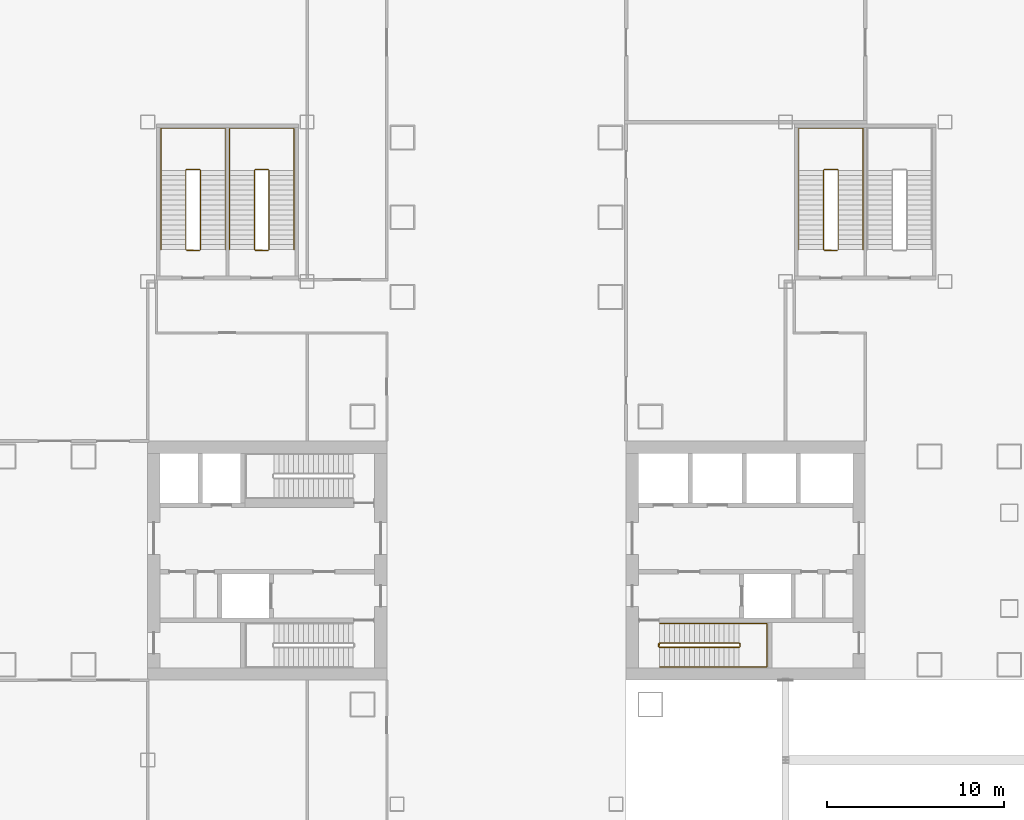
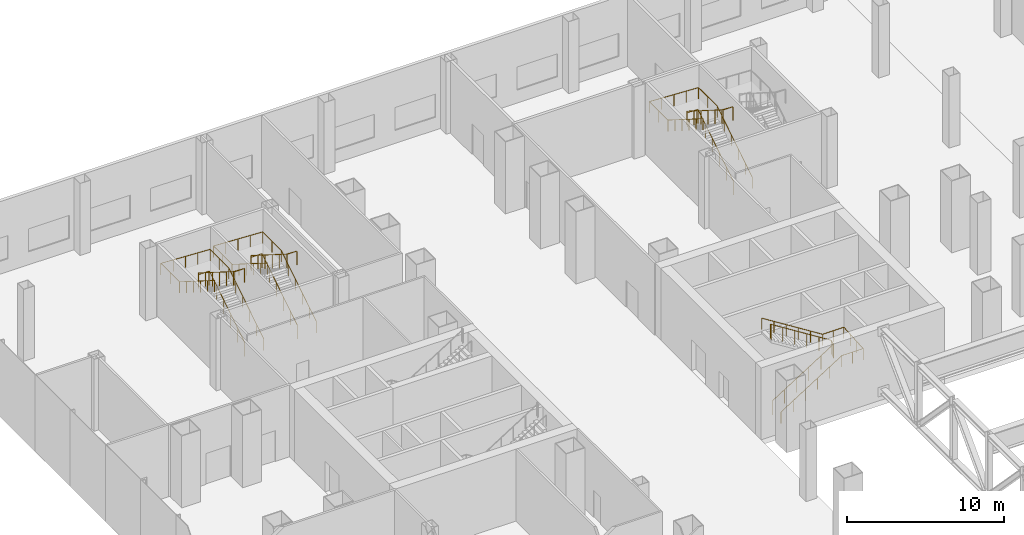
# One storey, part 30 of 33: 8 railings.
"""IFC4 building model written with IfcOpenShell, lengths in metres."""

from ifc_helpers import new_model, si_unit, direction, frame, origin, origin_2d, place, context, subcontext, project, spatial, circle, extrude, material, type_object, element, save


model = new_model("IFC4")

# Units and contexts
model_context = context("Model", 3, precision=1e-05, world=origin(), true_north=direction((0.0, 1.0)))
body_context = subcontext(model_context, "Body", "Model", "MODEL_VIEW")
ifc_project = project(units=[si_unit("LENGTHUNIT", "METRE"), si_unit("AREAUNIT", "SQUARE_METRE"), si_unit("VOLUMEUNIT", "CUBIC_METRE"), si_unit("PLANEANGLEUNIT", "RADIAN"), si_unit("MASSUNIT", "GRAM", prefix="KILO")], contexts=[model_context])

# Site, building, storey
site_placement = place(None, origin())
site = spatial("IfcSite", under=ifc_project, at=site_placement, CompositionType="ELEMENT")
building_placement = place(site_placement, origin())
building = spatial("IfcBuilding", under=site, at=building_placement, Name="Shamsa Quay Exchange Towers", CompositionType="ELEMENT")
storey_placement = place(building_placement, frame((0.0, 0.0, 6.5)))
storey = spatial("IfcBuildingStorey", under=building, at=storey_placement, Name="L01", CompositionType="ELEMENT", Elevation=6.5)

# Railings
ifc_material = material(Name="Stainless steel", Category="steel")
railing_type_1 = type_object("IfcRailingType", Name="STAIR GUARD 1100", PredefinedType="GUARDRAIL", material=ifc_material)
railing_1_placement = place(storey_placement, frame((-25.10009765625, -4.89990234375, 0.176513671875)))
element("IfcRailing", 1, at=railing_1_placement, inside=storey, type_object=railing_type_1, Name="L01 ST1 stair guard 1", PredefinedType="GUARDRAIL", context=body_context, shape_type="SweptSolid", body=[
    extrude(circle(Radius=0.02392578125, at=origin_2d()), frame((0.0, 0.0, 1.076171875), z_axis=(0.845997938375, 0.0, 0.533186166611), x_axis=(0.0, 1.0, 0.0)), (0.0, 0.0, 1.0), 5.29541015625),
    extrude(circle(Radius=0.02392578125, at=origin_2d()), frame((4.47998046875, 0.0, 3.8994140625), z_axis=(0.708833529934, 0.705375805398, 0.0), x_axis=(-0.705375805398, 0.708833529934, 0.0)), (0.0, 0.0, 1.0), 0.070556640625),
    extrude(circle(Radius=0.02392578125, at=origin_2d()), frame((4.530029296875, 0.0498046875, 3.8994140625), z_axis=(0.0, 1.0, 0.0), x_axis=(-1.0, 0.0, 0.0)), (0.0, 0.0, 1.0), 0.150146484375),
    extrude(circle(Radius=0.02392578125, at=origin_2d()), frame((4.530029296875, 0.199951171875, 3.8994140625), z_axis=(-0.263171338983, 0.263171338983, 0.928160380902), x_axis=(-0.707106781187, -0.707106781187, 0.0)), (0.0, 0.0, 1.0), 0.190185546875),
    extrude(circle(Radius=0.02392578125, at=origin_2d()), frame((4.47998046875, 0.25, 4.076171875), z_axis=(-0.845997938375, 0.0, 0.533186166611), x_axis=(0.0, -1.0, 0.0)), (0.0, 0.0, 1.0), 5.29541015625),
    extrude(circle(Radius=0.02392578125, at=origin_2d()), frame((0.0, 0.25, 6.8994140625), z_axis=(-0.24142163986, -0.970420317083, 0.0), x_axis=(0.970420317083, -0.24142163986, 0.0)), (0.0, 0.0, 1.0), 0.206298828125),
    extrude(circle(Radius=0.02392578125, at=origin_2d()), frame((-0.0498046875, 0.0498046875, 6.8994140625), z_axis=(0.0, 1.0, 0.0), x_axis=(-1.0, 0.0, 0.0)), (0.0, 0.0, 1.0), 0.150146484375),
    extrude(circle(Radius=0.02099609375, at=origin_2d()), origin(), (0.0, 0.0, 1.0), 1.052001953125),
    extrude(circle(Radius=0.02099609375, at=origin_2d()), frame((0.89599609375, 0.0, 0.564697265625)), (0.0, 0.0, 1.0), 1.052001953125),
    extrude(circle(Radius=0.02099609375, at=origin_2d()), frame((1.7919921875, 0.0, 1.12939453125)), (0.0, 0.0, 1.0), 1.052001953125),
    extrude(circle(Radius=0.02099609375, at=origin_2d()), frame((2.68798828125, 0.0, 1.694091796875)), (0.0, 0.0, 1.0), 1.052001953125),
    extrude(circle(Radius=0.02099609375, at=origin_2d()), frame((3.583984375, 0.0, 2.2587890625)), (0.0, 0.0, 1.0), 1.052001953125),
    extrude(circle(Radius=0.02099609375, at=origin_2d()), frame((4.47998046875, 0.0, 2.823486328125)), (0.0, 0.0, 1.0), 1.052001953125),
    extrude(circle(Radius=0.02099609375, at=origin_2d()), frame((4.530029296875, 0.0498046875, 2.823486328125)), (0.0, 0.0, 1.0), 1.052001953125),
    extrude(circle(Radius=0.02099609375, at=origin_2d()), frame((4.530029296875, 0.199951171875, 2.823486328125)), (0.0, 0.0, 1.0), 1.052001953125),
    extrude(circle(Radius=0.02099609375, at=origin_2d()), frame((4.47998046875, 0.25, 3.0)), (0.0, 0.0, 1.0), 1.052001953125),
    extrude(circle(Radius=0.02099609375, at=origin_2d()), frame((3.583984375, 0.25, 3.564697265625)), (0.0, 0.0, 1.0), 1.052001953125),
    extrude(circle(Radius=0.02099609375, at=origin_2d()), frame((2.68798828125, 0.25, 4.12939453125)), (0.0, 0.0, 1.0), 1.052001953125),
    extrude(circle(Radius=0.02099609375, at=origin_2d()), frame((1.7919921875, 0.25, 4.694091796875)), (0.0, 0.0, 1.0), 1.052001953125),
    extrude(circle(Radius=0.02099609375, at=origin_2d()), frame((0.89599609375, 0.25, 5.2587890625)), (0.0, 0.0, 1.0), 1.052001953125),
    extrude(circle(Radius=0.02099609375, at=origin_2d()), frame((0.0, 0.25, 5.823486328125)), (0.0, 0.0, 1.0), 1.052001953125),
    extrude(circle(Radius=0.02099609375, at=origin_2d()), frame((-0.0498046875, 0.0498046875, 5.823486328125)), (0.0, 0.0, 1.0), 1.052001953125),
    extrude(circle(Radius=0.02099609375, at=origin_2d()), frame((-0.0498046875, 0.199951171875, 5.823486328125)), (0.0, 0.0, 1.0), 1.052001953125),
])
railing_2_placement = place(storey_placement, frame((-51.02490234375, 17.550048828125, 0.176513671875)))
element("IfcRailing", 2, at=railing_2_placement, inside=storey, type_object=railing_type_1, Name="L01 PS1A stair guard 1", PredefinedType="GUARDRAIL", context=body_context, shape_type="SweptSolid", body=[
    extrude(circle(Radius=0.02392578125, at=origin_2d()), frame((0.0, 0.0, 1.076171875), z_axis=(0.0, 0.845997938375, 0.533186166611), x_axis=(-1.0, 0.0, 0.0)), (0.0, 0.0, 1.0), 5.29541015625),
    extrude(circle(Radius=0.02392578125, at=origin_2d()), frame((0.0, 4.47998046875, 3.8994140625), z_axis=(-0.707106781187, 0.707106781187, 0.0), x_axis=(-0.707106781187, -0.707106781187, 0.0)), (0.0, 0.0, 1.0), 0.07080078125),
    extrude(circle(Radius=0.02392578125, at=origin_2d()), frame((-0.050048828125, 4.530029296875, 3.8994140625), z_axis=(-1.0, 0.0, 0.0), x_axis=(0.0, -1.0, 0.0)), (0.0, 0.0, 1.0), 0.72509765625),
    extrude(circle(Radius=0.02392578125, at=origin_2d()), frame((-0.775146484375, 4.530029296875, 3.8994140625), z_axis=(-0.263171338983, -0.263171338983, 0.928160380902), x_axis=(0.707106781187, -0.707106781187, 0.0)), (0.0, 0.0, 1.0), 0.190185546875),
    extrude(circle(Radius=0.02392578125, at=origin_2d()), frame((-0.8251953125, 4.47998046875, 4.076171875), z_axis=(0.0, -0.845997938375, 0.533186166611), x_axis=(1.0, 0.0, 0.0)), (0.0, 0.0, 1.0), 5.29541015625),
    extrude(circle(Radius=0.02392578125, at=origin_2d()), frame((-0.8251953125, 0.0, 6.8994140625), z_axis=(0.997922050633, -0.064432762324, 0.0), x_axis=(0.064432762324, 0.997922050633, 0.0)), (0.0, 0.0, 1.0), 0.77685546875),
    extrude(circle(Radius=0.02392578125, at=origin_2d()), frame((-0.050048828125, -0.050048828125, 6.8994140625), z_axis=(-1.0, 0.0, 0.0), x_axis=(0.0, -1.0, 0.0)), (0.0, 0.0, 1.0), 0.72509765625),
    extrude(circle(Radius=0.02099609375, at=origin_2d()), origin(), (0.0, 0.0, 1.0), 1.052001953125),
    extrude(circle(Radius=0.02099609375, at=origin_2d()), frame((0.0, 0.89599609375, 0.564697265625)), (0.0, 0.0, 1.0), 1.052001953125),
    extrude(circle(Radius=0.02099609375, at=origin_2d()), frame((0.0, 1.7919921875, 1.12939453125)), (0.0, 0.0, 1.0), 1.052001953125),
    extrude(circle(Radius=0.02099609375, at=origin_2d()), frame((0.0, 2.68798828125, 1.694091796875)), (0.0, 0.0, 1.0), 1.052001953125),
    extrude(circle(Radius=0.02099609375, at=origin_2d()), frame((0.0, 3.583984375, 2.2587890625)), (0.0, 0.0, 1.0), 1.052001953125),
    extrude(circle(Radius=0.02099609375, at=origin_2d()), frame((0.0, 4.47998046875, 2.823486328125)), (0.0, 0.0, 1.0), 1.052001953125),
    extrude(circle(Radius=0.02099609375, at=origin_2d()), frame((-0.050048828125, 4.530029296875, 2.823486328125)), (0.0, 0.0, 1.0), 1.052001953125),
    extrude(circle(Radius=0.02099609375, at=origin_2d()), frame((-0.775146484375, 4.530029296875, 2.823486328125)), (0.0, 0.0, 1.0), 1.052001953125),
    extrude(circle(Radius=0.02099609375, at=origin_2d()), frame((-0.8251953125, 4.47998046875, 3.0)), (0.0, 0.0, 1.0), 1.052001953125),
    extrude(circle(Radius=0.02099609375, at=origin_2d()), frame((-0.8251953125, 3.583984375, 3.564697265625)), (0.0, 0.0, 1.0), 1.052001953125),
    extrude(circle(Radius=0.02099609375, at=origin_2d()), frame((-0.8251953125, 2.68798828125, 4.12939453125)), (0.0, 0.0, 1.0), 1.052001953125),
    extrude(circle(Radius=0.02099609375, at=origin_2d()), frame((-0.8251953125, 1.7919921875, 4.694091796875)), (0.0, 0.0, 1.0), 1.052001953125),
    extrude(circle(Radius=0.02099609375, at=origin_2d()), frame((-0.8251953125, 0.89599609375, 5.2587890625)), (0.0, 0.0, 1.0), 1.052001953125),
    extrude(circle(Radius=0.02099609375, at=origin_2d()), frame((-0.8251953125, 0.0, 5.823486328125)), (0.0, 0.0, 1.0), 1.052001953125),
    extrude(circle(Radius=0.02099609375, at=origin_2d()), frame((-0.050048828125, -0.050048828125, 5.823486328125)), (0.0, 0.0, 1.0), 1.052001953125),
    extrude(circle(Radius=0.02099609375, at=origin_2d()), frame((-0.775146484375, -0.050048828125, 5.823486328125)), (0.0, 0.0, 1.0), 1.052001953125),
])
railing_3_placement = place(storey_placement, frame((-47.14990234375, 17.550048828125, 0.176513671875)))
element("IfcRailing", 3, at=railing_3_placement, inside=storey, type_object=railing_type_1, Name="L01 PS1B stair guard 1", PredefinedType="GUARDRAIL", context=body_context, shape_type="SweptSolid", body=[
    extrude(circle(Radius=0.02392578125, at=origin_2d()), frame((0.0, 0.0, 1.076171875), z_axis=(0.0, 0.845997938375, 0.533186166611), x_axis=(-1.0, 0.0, 0.0)), (0.0, 0.0, 1.0), 5.29541015625),
    extrude(circle(Radius=0.02392578125, at=origin_2d()), frame((0.0, 4.47998046875, 3.8994140625), z_axis=(-0.707106781187, 0.707106781187, 0.0), x_axis=(-0.707106781187, -0.707106781187, 0.0)), (0.0, 0.0, 1.0), 0.07080078125),
    extrude(circle(Radius=0.02392578125, at=origin_2d()), frame((-0.050048828125, 4.530029296875, 3.8994140625), z_axis=(-1.0, 0.0, 0.0), x_axis=(0.0, -1.0, 0.0)), (0.0, 0.0, 1.0), 0.72509765625),
    extrude(circle(Radius=0.02392578125, at=origin_2d()), frame((-0.775146484375, 4.530029296875, 3.8994140625), z_axis=(-0.263171338983, -0.263171338983, 0.928160380902), x_axis=(0.707106781187, -0.707106781187, 0.0)), (0.0, 0.0, 1.0), 0.190185546875),
    extrude(circle(Radius=0.02392578125, at=origin_2d()), frame((-0.8251953125, 4.47998046875, 4.076171875), z_axis=(0.0, -0.845997938375, 0.533186166611), x_axis=(1.0, 0.0, 0.0)), (0.0, 0.0, 1.0), 5.29541015625),
    extrude(circle(Radius=0.02392578125, at=origin_2d()), frame((-0.8251953125, 0.0, 6.8994140625), z_axis=(0.997922050633, -0.064432762324, 0.0), x_axis=(0.064432762324, 0.997922050633, 0.0)), (0.0, 0.0, 1.0), 0.77685546875),
    extrude(circle(Radius=0.02392578125, at=origin_2d()), frame((-0.050048828125, -0.050048828125, 6.8994140625), z_axis=(-1.0, 0.0, 0.0), x_axis=(0.0, -1.0, 0.0)), (0.0, 0.0, 1.0), 0.72509765625),
    extrude(circle(Radius=0.02099609375, at=origin_2d()), origin(), (0.0, 0.0, 1.0), 1.052001953125),
    extrude(circle(Radius=0.02099609375, at=origin_2d()), frame((0.0, 0.89599609375, 0.564697265625)), (0.0, 0.0, 1.0), 1.052001953125),
    extrude(circle(Radius=0.02099609375, at=origin_2d()), frame((0.0, 1.7919921875, 1.12939453125)), (0.0, 0.0, 1.0), 1.052001953125),
    extrude(circle(Radius=0.02099609375, at=origin_2d()), frame((0.0, 2.68798828125, 1.694091796875)), (0.0, 0.0, 1.0), 1.052001953125),
    extrude(circle(Radius=0.02099609375, at=origin_2d()), frame((0.0, 3.583984375, 2.2587890625)), (0.0, 0.0, 1.0), 1.052001953125),
    extrude(circle(Radius=0.02099609375, at=origin_2d()), frame((0.0, 4.47998046875, 2.823486328125)), (0.0, 0.0, 1.0), 1.052001953125),
    extrude(circle(Radius=0.02099609375, at=origin_2d()), frame((-0.050048828125, 4.530029296875, 2.823486328125)), (0.0, 0.0, 1.0), 1.052001953125),
    extrude(circle(Radius=0.02099609375, at=origin_2d()), frame((-0.775146484375, 4.530029296875, 2.823486328125)), (0.0, 0.0, 1.0), 1.052001953125),
    extrude(circle(Radius=0.02099609375, at=origin_2d()), frame((-0.8251953125, 4.47998046875, 3.0)), (0.0, 0.0, 1.0), 1.052001953125),
    extrude(circle(Radius=0.02099609375, at=origin_2d()), frame((-0.8251953125, 3.583984375, 3.564697265625)), (0.0, 0.0, 1.0), 1.052001953125),
    extrude(circle(Radius=0.02099609375, at=origin_2d()), frame((-0.8251953125, 2.68798828125, 4.12939453125)), (0.0, 0.0, 1.0), 1.052001953125),
    extrude(circle(Radius=0.02099609375, at=origin_2d()), frame((-0.8251953125, 1.7919921875, 4.694091796875)), (0.0, 0.0, 1.0), 1.052001953125),
    extrude(circle(Radius=0.02099609375, at=origin_2d()), frame((-0.8251953125, 0.89599609375, 5.2587890625)), (0.0, 0.0, 1.0), 1.052001953125),
    extrude(circle(Radius=0.02099609375, at=origin_2d()), frame((-0.8251953125, 0.0, 5.823486328125)), (0.0, 0.0, 1.0), 1.052001953125),
    extrude(circle(Radius=0.02099609375, at=origin_2d()), frame((-0.050048828125, -0.050048828125, 5.823486328125)), (0.0, 0.0, 1.0), 1.052001953125),
    extrude(circle(Radius=0.02099609375, at=origin_2d()), frame((-0.775146484375, -0.050048828125, 5.823486328125)), (0.0, 0.0, 1.0), 1.052001953125),
])
railing_4_placement = place(storey_placement, frame((-15.02490234375, 17.550048828125, 0.176513671875)))
element("IfcRailing", 4, at=railing_4_placement, inside=storey, type_object=railing_type_1, Name="L01 PS2A stair guard 1", PredefinedType="GUARDRAIL", context=body_context, shape_type="SweptSolid", body=[
    extrude(circle(Radius=0.02392578125, at=origin_2d()), frame((0.0, 0.0, 1.076171875), z_axis=(0.0, 0.845997938375, 0.533186166611), x_axis=(-1.0, 0.0, 0.0)), (0.0, 0.0, 1.0), 5.29541015625),
    extrude(circle(Radius=0.02392578125, at=origin_2d()), frame((0.0, 4.47998046875, 3.8994140625), z_axis=(-0.707106781187, 0.707106781187, 0.0), x_axis=(-0.707106781187, -0.707106781187, 0.0)), (0.0, 0.0, 1.0), 0.07080078125),
    extrude(circle(Radius=0.02392578125, at=origin_2d()), frame((-0.050048828125, 4.530029296875, 3.8994140625), z_axis=(-1.0, 0.0, 0.0), x_axis=(0.0, -1.0, 0.0)), (0.0, 0.0, 1.0), 0.72509765625),
    extrude(circle(Radius=0.02392578125, at=origin_2d()), frame((-0.775146484375, 4.530029296875, 3.8994140625), z_axis=(-0.263171338983, -0.263171338983, 0.928160380902), x_axis=(0.707106781187, -0.707106781187, 0.0)), (0.0, 0.0, 1.0), 0.190185546875),
    extrude(circle(Radius=0.02392578125, at=origin_2d()), frame((-0.8251953125, 4.47998046875, 4.076171875), z_axis=(0.0, -0.845997938375, 0.533186166611), x_axis=(1.0, 0.0, 0.0)), (0.0, 0.0, 1.0), 5.29541015625),
    extrude(circle(Radius=0.02392578125, at=origin_2d()), frame((-0.8251953125, 0.0, 6.8994140625), z_axis=(0.997922050633, -0.064432762324, 0.0), x_axis=(0.064432762324, 0.997922050633, 0.0)), (0.0, 0.0, 1.0), 0.77685546875),
    extrude(circle(Radius=0.02392578125, at=origin_2d()), frame((-0.050048828125, -0.050048828125, 6.8994140625), z_axis=(-1.0, 0.0, 0.0), x_axis=(0.0, -1.0, 0.0)), (0.0, 0.0, 1.0), 0.72509765625),
    extrude(circle(Radius=0.02099609375, at=origin_2d()), origin(), (0.0, 0.0, 1.0), 1.052001953125),
    extrude(circle(Radius=0.02099609375, at=origin_2d()), frame((0.0, 0.89599609375, 0.564697265625)), (0.0, 0.0, 1.0), 1.052001953125),
    extrude(circle(Radius=0.02099609375, at=origin_2d()), frame((0.0, 1.7919921875, 1.12939453125)), (0.0, 0.0, 1.0), 1.052001953125),
    extrude(circle(Radius=0.02099609375, at=origin_2d()), frame((0.0, 2.68798828125, 1.694091796875)), (0.0, 0.0, 1.0), 1.052001953125),
    extrude(circle(Radius=0.02099609375, at=origin_2d()), frame((0.0, 3.583984375, 2.2587890625)), (0.0, 0.0, 1.0), 1.052001953125),
    extrude(circle(Radius=0.02099609375, at=origin_2d()), frame((0.0, 4.47998046875, 2.823486328125)), (0.0, 0.0, 1.0), 1.052001953125),
    extrude(circle(Radius=0.02099609375, at=origin_2d()), frame((-0.050048828125, 4.530029296875, 2.823486328125)), (0.0, 0.0, 1.0), 1.052001953125),
    extrude(circle(Radius=0.02099609375, at=origin_2d()), frame((-0.775146484375, 4.530029296875, 2.823486328125)), (0.0, 0.0, 1.0), 1.052001953125),
    extrude(circle(Radius=0.02099609375, at=origin_2d()), frame((-0.8251953125, 4.47998046875, 3.0)), (0.0, 0.0, 1.0), 1.052001953125),
    extrude(circle(Radius=0.02099609375, at=origin_2d()), frame((-0.8251953125, 3.583984375, 3.564697265625)), (0.0, 0.0, 1.0), 1.052001953125),
    extrude(circle(Radius=0.02099609375, at=origin_2d()), frame((-0.8251953125, 2.68798828125, 4.12939453125)), (0.0, 0.0, 1.0), 1.052001953125),
    extrude(circle(Radius=0.02099609375, at=origin_2d()), frame((-0.8251953125, 1.7919921875, 4.694091796875)), (0.0, 0.0, 1.0), 1.052001953125),
    extrude(circle(Radius=0.02099609375, at=origin_2d()), frame((-0.8251953125, 0.89599609375, 5.2587890625)), (0.0, 0.0, 1.0), 1.052001953125),
    extrude(circle(Radius=0.02099609375, at=origin_2d()), frame((-0.8251953125, 0.0, 5.823486328125)), (0.0, 0.0, 1.0), 1.052001953125),
    extrude(circle(Radius=0.02099609375, at=origin_2d()), frame((-0.050048828125, -0.050048828125, 5.823486328125)), (0.0, 0.0, 1.0), 1.052001953125),
    extrude(circle(Radius=0.02099609375, at=origin_2d()), frame((-0.775146484375, -0.050048828125, 5.823486328125)), (0.0, 0.0, 1.0), 1.052001953125),
])
railing_type_2 = type_object("IfcRailingType", Name="STAIR HANDRAIL 900", PredefinedType="HANDRAIL", material=ifc_material)
railing_5_placement = place(storey_placement, frame((-25.10009765625, -6.0, 0.176513671875)))
element("IfcRailing", 5, at=railing_5_placement, inside=storey, type_object=railing_type_2, Name="L01 ST1 stair handrail 1", PredefinedType="HANDRAIL", context=body_context, shape_type="SweptSolid", body=[
    extrude(circle(Radius=0.02392578125, at=origin_2d()), frame((0.0, 0.0, 0.8759765625), z_axis=(0.845997938375, 0.0, 0.533186166611), x_axis=(0.0, 1.0, 0.0)), (0.0, 0.0, 1.0), 5.29541015625),
    extrude(circle(Radius=0.02392578125, at=origin_2d()), frame((4.47998046875, 0.0, 3.69921875), z_axis=(1.0, 0.0, 0.0), x_axis=(0.0, 1.0, 0.0)), (0.0, 0.0, 1.0), 1.570068359375),
    extrude(circle(Radius=0.02392578125, at=origin_2d()), frame((6.050048828125, 0.0, 3.69921875), z_axis=(0.0, 0.997414615901, 0.071861561265), x_axis=(-1.0, 0.0, 0.0)), (0.0, 0.0, 1.0), 2.456298828125),
    extrude(circle(Radius=0.02392578125, at=origin_2d()), frame((6.050048828125, 2.449951171875, 3.8759765625), z_axis=(-1.0, 0.0, 0.0), x_axis=(0.0, -1.0, 0.0)), (0.0, 0.0, 1.0), 1.570068359375),
    extrude(circle(Radius=0.02392578125, at=origin_2d()), frame((4.47998046875, 2.449951171875, 3.8759765625), z_axis=(-0.845997938375, 0.0, 0.533186166611), x_axis=(0.0, -1.0, 0.0)), (0.0, 0.0, 1.0), 5.29541015625),
    extrude(circle(Radius=0.02099609375, at=origin_2d()), origin(), (0.0, 0.0, 1.0), 0.851806640625),
    extrude(circle(Radius=0.02099609375, at=origin_2d()), frame((0.89599609375, 0.0, 0.564697265625)), (0.0, 0.0, 1.0), 0.851806640625),
    extrude(circle(Radius=0.02099609375, at=origin_2d()), frame((1.7919921875, 0.0, 1.12939453125)), (0.0, 0.0, 1.0), 0.851806640625),
    extrude(circle(Radius=0.02099609375, at=origin_2d()), frame((2.68798828125, 0.0, 1.694091796875)), (0.0, 0.0, 1.0), 0.851806640625),
    extrude(circle(Radius=0.02099609375, at=origin_2d()), frame((3.583984375, 0.0, 2.2587890625)), (0.0, 0.0, 1.0), 0.851806640625),
    extrude(circle(Radius=0.02099609375, at=origin_2d()), frame((4.47998046875, 0.0, 2.823486328125)), (0.0, 0.0, 1.0), 0.851806640625),
    extrude(circle(Radius=0.02099609375, at=origin_2d()), frame((5.26513671875, 0.0, 2.823486328125)), (0.0, 0.0, 1.0), 0.851806640625),
    extrude(circle(Radius=0.02099609375, at=origin_2d()), frame((6.050048828125, 0.0, 2.823486328125)), (0.0, 0.0, 1.0), 0.851806640625),
    extrude(circle(Radius=0.02099609375, at=origin_2d()), frame((6.050048828125, 0.816650390625, 2.88232421875)), (0.0, 0.0, 1.0), 0.851806640625),
    extrude(circle(Radius=0.02099609375, at=origin_2d()), frame((6.050048828125, 1.63330078125, 2.941162109375)), (0.0, 0.0, 1.0), 0.851806640625),
    extrude(circle(Radius=0.02099609375, at=origin_2d()), frame((6.050048828125, 2.449951171875, 3.0)), (0.0, 0.0, 1.0), 0.851806640625),
    extrude(circle(Radius=0.02099609375, at=origin_2d()), frame((5.26513671875, 2.449951171875, 3.0)), (0.0, 0.0, 1.0), 0.851806640625),
    extrude(circle(Radius=0.02099609375, at=origin_2d()), frame((4.47998046875, 2.449951171875, 3.0)), (0.0, 0.0, 1.0), 0.851806640625),
    extrude(circle(Radius=0.02099609375, at=origin_2d()), frame((3.583984375, 2.449951171875, 3.564697265625)), (0.0, 0.0, 1.0), 0.851806640625),
    extrude(circle(Radius=0.02099609375, at=origin_2d()), frame((2.68798828125, 2.449951171875, 4.12939453125)), (0.0, 0.0, 1.0), 0.851806640625),
    extrude(circle(Radius=0.02099609375, at=origin_2d()), frame((1.7919921875, 2.449951171875, 4.694091796875)), (0.0, 0.0, 1.0), 0.851806640625),
    extrude(circle(Radius=0.02099609375, at=origin_2d()), frame((0.89599609375, 2.449951171875, 5.2587890625)), (0.0, 0.0, 1.0), 0.851806640625),
    extrude(circle(Radius=0.02099609375, at=origin_2d()), frame((0.0, 2.449951171875, 5.823486328125)), (0.0, 0.0, 1.0), 0.851806640625),
])
railing_6_placement = place(storey_placement, frame((-49.625, 17.550048828125, 0.176513671875)))
element("IfcRailing", 6, at=railing_6_placement, inside=storey, type_object=railing_type_2, Name="L01 PS1A stair handrail 1", PredefinedType="HANDRAIL", context=body_context, shape_type="SweptSolid", body=[
    extrude(circle(Radius=0.02392578125, at=origin_2d()), frame((0.0, 0.0, 0.8759765625), z_axis=(0.0, 0.845997938375, 0.533186166611), x_axis=(-1.0, 0.0, 0.0)), (0.0, 0.0, 1.0), 5.29541015625),
    extrude(circle(Radius=0.02392578125, at=origin_2d()), frame((0.0, 4.47998046875, 3.69921875), z_axis=(0.0, 1.0, 0.0), x_axis=(-1.0, 0.0, 0.0)), (0.0, 0.0, 1.0), 2.369873046875),
    extrude(circle(Radius=0.02392578125, at=origin_2d()), frame((0.0, 6.849853515625, 3.69921875), z_axis=(-0.998816579144, 0.0, 0.048635801907), x_axis=(0.0, -1.0, 0.0)), (0.0, 0.0, 1.0), 3.62939453125),
    extrude(circle(Radius=0.02392578125, at=origin_2d()), frame((-3.625, 6.849853515625, 3.8759765625), z_axis=(0.0, -1.0, 0.0), x_axis=(1.0, 0.0, 0.0)), (0.0, 0.0, 1.0), 2.369873046875),
    extrude(circle(Radius=0.02392578125, at=origin_2d()), frame((-3.625, 4.47998046875, 3.8759765625), z_axis=(0.0, -0.845997938375, 0.533186166611), x_axis=(1.0, 0.0, 0.0)), (0.0, 0.0, 1.0), 5.29541015625),
    extrude(circle(Radius=0.02099609375, at=origin_2d()), origin(), (0.0, 0.0, 1.0), 0.851806640625),
    extrude(circle(Radius=0.02099609375, at=origin_2d()), frame((0.0, 0.89599609375, 0.564697265625)), (0.0, 0.0, 1.0), 0.851806640625),
    extrude(circle(Radius=0.02099609375, at=origin_2d()), frame((0.0, 1.7919921875, 1.12939453125)), (0.0, 0.0, 1.0), 0.851806640625),
    extrude(circle(Radius=0.02099609375, at=origin_2d()), frame((0.0, 2.68798828125, 1.694091796875)), (0.0, 0.0, 1.0), 0.851806640625),
    extrude(circle(Radius=0.02099609375, at=origin_2d()), frame((0.0, 3.583984375, 2.2587890625)), (0.0, 0.0, 1.0), 0.851806640625),
    extrude(circle(Radius=0.02099609375, at=origin_2d()), frame((0.0, 4.47998046875, 2.823486328125)), (0.0, 0.0, 1.0), 0.851806640625),
    extrude(circle(Radius=0.02099609375, at=origin_2d()), frame((0.0, 5.6650390625, 2.823486328125)), (0.0, 0.0, 1.0), 0.851806640625),
    extrude(circle(Radius=0.02099609375, at=origin_2d()), frame((0.0, 6.849853515625, 2.823486328125)), (0.0, 0.0, 1.0), 0.851806640625),
    extrude(circle(Radius=0.02099609375, at=origin_2d()), frame((-0.90625, 6.849853515625, 2.86767578125)), (0.0, 0.0, 1.0), 0.851806640625),
    extrude(circle(Radius=0.02099609375, at=origin_2d()), frame((-1.8125, 6.849853515625, 2.91162109375)), (0.0, 0.0, 1.0), 0.851806640625),
    extrude(circle(Radius=0.02099609375, at=origin_2d()), frame((-2.71875, 6.849853515625, 2.955810546875)), (0.0, 0.0, 1.0), 0.851806640625),
    extrude(circle(Radius=0.02099609375, at=origin_2d()), frame((-3.625, 6.849853515625, 3.0)), (0.0, 0.0, 1.0), 0.851806640625),
    extrude(circle(Radius=0.02099609375, at=origin_2d()), frame((-3.625, 5.6650390625, 3.0)), (0.0, 0.0, 1.0), 0.851806640625),
    extrude(circle(Radius=0.02099609375, at=origin_2d()), frame((-3.625, 4.47998046875, 3.0)), (0.0, 0.0, 1.0), 0.851806640625),
    extrude(circle(Radius=0.02099609375, at=origin_2d()), frame((-3.625, 3.583984375, 3.564697265625)), (0.0, 0.0, 1.0), 0.851806640625),
    extrude(circle(Radius=0.02099609375, at=origin_2d()), frame((-3.625, 2.68798828125, 4.12939453125)), (0.0, 0.0, 1.0), 0.851806640625),
    extrude(circle(Radius=0.02099609375, at=origin_2d()), frame((-3.625, 1.7919921875, 4.694091796875)), (0.0, 0.0, 1.0), 0.851806640625),
    extrude(circle(Radius=0.02099609375, at=origin_2d()), frame((-3.625, 0.89599609375, 5.2587890625)), (0.0, 0.0, 1.0), 0.851806640625),
    extrude(circle(Radius=0.02099609375, at=origin_2d()), frame((-3.625, 0.0, 5.823486328125)), (0.0, 0.0, 1.0), 0.851806640625),
])
railing_7_placement = place(storey_placement, frame((-45.75, 17.550048828125, 0.176513671875)))
element("IfcRailing", 7, at=railing_7_placement, inside=storey, type_object=railing_type_2, Name="L01 PS1B stair handrail 1", PredefinedType="HANDRAIL", context=body_context, shape_type="SweptSolid", body=[
    extrude(circle(Radius=0.02392578125, at=origin_2d()), frame((0.0, 0.0, 0.8759765625), z_axis=(0.0, 0.845997938375, 0.533186166611), x_axis=(-1.0, 0.0, 0.0)), (0.0, 0.0, 1.0), 5.29541015625),
    extrude(circle(Radius=0.02392578125, at=origin_2d()), frame((0.0, 4.47998046875, 3.69921875), z_axis=(0.0, 1.0, 0.0), x_axis=(-1.0, 0.0, 0.0)), (0.0, 0.0, 1.0), 2.369873046875),
    extrude(circle(Radius=0.02392578125, at=origin_2d()), frame((0.0, 6.849853515625, 3.69921875), z_axis=(-0.998816579144, 0.0, 0.048635801907), x_axis=(0.0, -1.0, 0.0)), (0.0, 0.0, 1.0), 3.62939453125),
    extrude(circle(Radius=0.02392578125, at=origin_2d()), frame((-3.625, 6.849853515625, 3.8759765625), z_axis=(0.0, -1.0, 0.0), x_axis=(1.0, 0.0, 0.0)), (0.0, 0.0, 1.0), 2.369873046875),
    extrude(circle(Radius=0.02392578125, at=origin_2d()), frame((-3.625, 4.47998046875, 3.8759765625), z_axis=(0.0, -0.845997938375, 0.533186166611), x_axis=(1.0, 0.0, 0.0)), (0.0, 0.0, 1.0), 5.29541015625),
    extrude(circle(Radius=0.02099609375, at=origin_2d()), origin(), (0.0, 0.0, 1.0), 0.851806640625),
    extrude(circle(Radius=0.02099609375, at=origin_2d()), frame((0.0, 0.89599609375, 0.564697265625)), (0.0, 0.0, 1.0), 0.851806640625),
    extrude(circle(Radius=0.02099609375, at=origin_2d()), frame((0.0, 1.7919921875, 1.12939453125)), (0.0, 0.0, 1.0), 0.851806640625),
    extrude(circle(Radius=0.02099609375, at=origin_2d()), frame((0.0, 2.68798828125, 1.694091796875)), (0.0, 0.0, 1.0), 0.851806640625),
    extrude(circle(Radius=0.02099609375, at=origin_2d()), frame((0.0, 3.583984375, 2.2587890625)), (0.0, 0.0, 1.0), 0.851806640625),
    extrude(circle(Radius=0.02099609375, at=origin_2d()), frame((0.0, 4.47998046875, 2.823486328125)), (0.0, 0.0, 1.0), 0.851806640625),
    extrude(circle(Radius=0.02099609375, at=origin_2d()), frame((0.0, 5.6650390625, 2.823486328125)), (0.0, 0.0, 1.0), 0.851806640625),
    extrude(circle(Radius=0.02099609375, at=origin_2d()), frame((0.0, 6.849853515625, 2.823486328125)), (0.0, 0.0, 1.0), 0.851806640625),
    extrude(circle(Radius=0.02099609375, at=origin_2d()), frame((-0.90625, 6.849853515625, 2.86767578125)), (0.0, 0.0, 1.0), 0.851806640625),
    extrude(circle(Radius=0.02099609375, at=origin_2d()), frame((-1.8125, 6.849853515625, 2.91162109375)), (0.0, 0.0, 1.0), 0.851806640625),
    extrude(circle(Radius=0.02099609375, at=origin_2d()), frame((-2.71875, 6.849853515625, 2.955810546875)), (0.0, 0.0, 1.0), 0.851806640625),
    extrude(circle(Radius=0.02099609375, at=origin_2d()), frame((-3.625, 6.849853515625, 3.0)), (0.0, 0.0, 1.0), 0.851806640625),
    extrude(circle(Radius=0.02099609375, at=origin_2d()), frame((-3.625, 5.6650390625, 3.0)), (0.0, 0.0, 1.0), 0.851806640625),
    extrude(circle(Radius=0.02099609375, at=origin_2d()), frame((-3.625, 4.47998046875, 3.0)), (0.0, 0.0, 1.0), 0.851806640625),
    extrude(circle(Radius=0.02099609375, at=origin_2d()), frame((-3.625, 3.583984375, 3.564697265625)), (0.0, 0.0, 1.0), 0.851806640625),
    extrude(circle(Radius=0.02099609375, at=origin_2d()), frame((-3.625, 2.68798828125, 4.12939453125)), (0.0, 0.0, 1.0), 0.851806640625),
    extrude(circle(Radius=0.02099609375, at=origin_2d()), frame((-3.625, 1.7919921875, 4.694091796875)), (0.0, 0.0, 1.0), 0.851806640625),
    extrude(circle(Radius=0.02099609375, at=origin_2d()), frame((-3.625, 0.89599609375, 5.2587890625)), (0.0, 0.0, 1.0), 0.851806640625),
    extrude(circle(Radius=0.02099609375, at=origin_2d()), frame((-3.625, 0.0, 5.823486328125)), (0.0, 0.0, 1.0), 0.851806640625),
])
railing_8_placement = place(storey_placement, frame((-13.625, 17.550048828125, 0.176513671875)))
element("IfcRailing", 8, at=railing_8_placement, inside=storey, type_object=railing_type_2, Name="L01 PS2A stair handrail 1", PredefinedType="HANDRAIL", context=body_context, shape_type="SweptSolid", body=[
    extrude(circle(Radius=0.02392578125, at=origin_2d()), frame((0.0, 0.0, 0.8759765625), z_axis=(0.0, 0.845997938375, 0.533186166611), x_axis=(-1.0, 0.0, 0.0)), (0.0, 0.0, 1.0), 5.29541015625),
    extrude(circle(Radius=0.02392578125, at=origin_2d()), frame((0.0, 4.47998046875, 3.69921875), z_axis=(0.0, 1.0, 0.0), x_axis=(-1.0, 0.0, 0.0)), (0.0, 0.0, 1.0), 2.369873046875),
    extrude(circle(Radius=0.02392578125, at=origin_2d()), frame((0.0, 6.849853515625, 3.69921875), z_axis=(-0.998816579144, 0.0, 0.048635801907), x_axis=(0.0, -1.0, 0.0)), (0.0, 0.0, 1.0), 3.62939453125),
    extrude(circle(Radius=0.02392578125, at=origin_2d()), frame((-3.625, 6.849853515625, 3.8759765625), z_axis=(0.0, -1.0, 0.0), x_axis=(1.0, 0.0, 0.0)), (0.0, 0.0, 1.0), 2.369873046875),
    extrude(circle(Radius=0.02392578125, at=origin_2d()), frame((-3.625, 4.47998046875, 3.8759765625), z_axis=(0.0, -0.845997938375, 0.533186166611), x_axis=(1.0, 0.0, 0.0)), (0.0, 0.0, 1.0), 5.29541015625),
    extrude(circle(Radius=0.02099609375, at=origin_2d()), origin(), (0.0, 0.0, 1.0), 0.851806640625),
    extrude(circle(Radius=0.02099609375, at=origin_2d()), frame((0.0, 0.89599609375, 0.564697265625)), (0.0, 0.0, 1.0), 0.851806640625),
    extrude(circle(Radius=0.02099609375, at=origin_2d()), frame((0.0, 1.7919921875, 1.12939453125)), (0.0, 0.0, 1.0), 0.851806640625),
    extrude(circle(Radius=0.02099609375, at=origin_2d()), frame((0.0, 2.68798828125, 1.694091796875)), (0.0, 0.0, 1.0), 0.851806640625),
    extrude(circle(Radius=0.02099609375, at=origin_2d()), frame((0.0, 3.583984375, 2.2587890625)), (0.0, 0.0, 1.0), 0.851806640625),
    extrude(circle(Radius=0.02099609375, at=origin_2d()), frame((0.0, 4.47998046875, 2.823486328125)), (0.0, 0.0, 1.0), 0.851806640625),
    extrude(circle(Radius=0.02099609375, at=origin_2d()), frame((0.0, 5.6650390625, 2.823486328125)), (0.0, 0.0, 1.0), 0.851806640625),
    extrude(circle(Radius=0.02099609375, at=origin_2d()), frame((0.0, 6.849853515625, 2.823486328125)), (0.0, 0.0, 1.0), 0.851806640625),
    extrude(circle(Radius=0.02099609375, at=origin_2d()), frame((-0.90625, 6.849853515625, 2.86767578125)), (0.0, 0.0, 1.0), 0.851806640625),
    extrude(circle(Radius=0.02099609375, at=origin_2d()), frame((-1.8125, 6.849853515625, 2.91162109375)), (0.0, 0.0, 1.0), 0.851806640625),
    extrude(circle(Radius=0.02099609375, at=origin_2d()), frame((-2.71875, 6.849853515625, 2.955810546875)), (0.0, 0.0, 1.0), 0.851806640625),
    extrude(circle(Radius=0.02099609375, at=origin_2d()), frame((-3.625, 6.849853515625, 3.0)), (0.0, 0.0, 1.0), 0.851806640625),
    extrude(circle(Radius=0.02099609375, at=origin_2d()), frame((-3.625, 5.6650390625, 3.0)), (0.0, 0.0, 1.0), 0.851806640625),
    extrude(circle(Radius=0.02099609375, at=origin_2d()), frame((-3.625, 4.47998046875, 3.0)), (0.0, 0.0, 1.0), 0.851806640625),
    extrude(circle(Radius=0.02099609375, at=origin_2d()), frame((-3.625, 3.583984375, 3.564697265625)), (0.0, 0.0, 1.0), 0.851806640625),
    extrude(circle(Radius=0.02099609375, at=origin_2d()), frame((-3.625, 2.68798828125, 4.12939453125)), (0.0, 0.0, 1.0), 0.851806640625),
    extrude(circle(Radius=0.02099609375, at=origin_2d()), frame((-3.625, 1.7919921875, 4.694091796875)), (0.0, 0.0, 1.0), 0.851806640625),
    extrude(circle(Radius=0.02099609375, at=origin_2d()), frame((-3.625, 0.89599609375, 5.2587890625)), (0.0, 0.0, 1.0), 0.851806640625),
    extrude(circle(Radius=0.02099609375, at=origin_2d()), frame((-3.625, 0.0, 5.823486328125)), (0.0, 0.0, 1.0), 0.851806640625),
])

save(model, "model.ifc")
